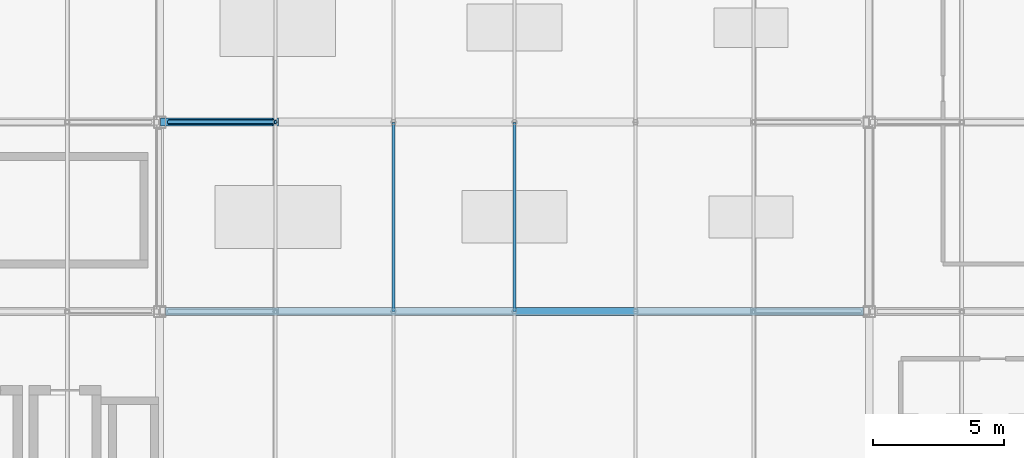
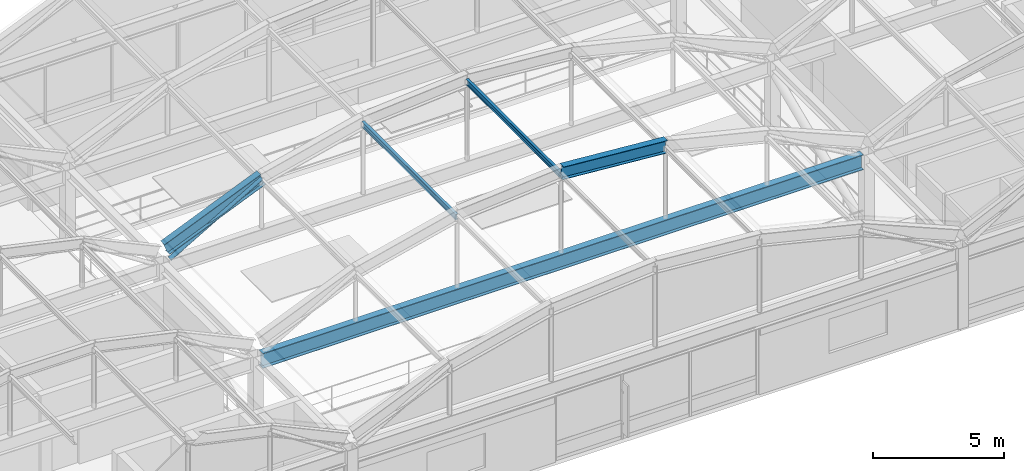
# One storey, part 37 of 106: 5 members, 1 beam.
"""IFC4 building model written with IfcOpenShell, lengths in metres."""

from ifc_helpers import new_model, si_unit, direction, frame, origin, origin_2d, place, context, subcontext, project, spatial, hollow_circle, i_section, extrude, material, material_profile, profile_set, type_object, element, save


model = new_model("IFC4")

# Units and contexts
model_context = context("Model", 3, precision=1e-05, world=origin(), true_north=direction((0.0, 1.0)))
body_context = subcontext(model_context, "Body", "Model", "MODEL_VIEW")
ifc_project = project(units=[si_unit("LENGTHUNIT", "METRE"), si_unit("AREAUNIT", "SQUARE_METRE"), si_unit("VOLUMEUNIT", "CUBIC_METRE"), si_unit("PLANEANGLEUNIT", "RADIAN"), si_unit("MASSUNIT", "GRAM", prefix="KILO")], contexts=[model_context])

# Site, building, storey
site_placement = place(None, origin())
site = spatial("IfcSite", under=ifc_project, at=site_placement, CompositionType="ELEMENT")
building_placement = place(site_placement, origin())
building = spatial("IfcBuilding", under=site, at=building_placement, Name="Kazanami Central Library", CompositionType="ELEMENT")
storey_placement = place(building_placement, frame((0.0, 0.0, 12.800048828125)))
storey = spatial("IfcBuildingStorey", under=building, at=storey_placement, Name="L04", CompositionType="ELEMENT", Elevation=12.800048828125)

# Beam
ifc_material_1 = material(Name="Steel SN490B (325 MPa)", Category="steel")
ifc_material_profile_1 = material_profile(ifc_material_1, i_section(OverallWidth=0.300048828125, OverallDepth=0.699951171875, WebThickness=0.012939453125, FlangeThickness=0.02392578125, at=origin_2d()), Name="H-700x300x13x24")
ifc_profile_set_1 = profile_set([ifc_material_profile_1], Name="Steel SN490B (325 MPa)")
beam_type = type_object("IfcBeamType", Name="BM-G-AT", PredefinedType="BEAM", material=ifc_profile_set_1)
beam_placement = place(storey_placement, frame((63.222900390625, 72.0, 3.429931640625), z_axis=(1.0, 0.0, 0.0), x_axis=(0.0, 1.0, 0.0)))
element("IfcBeam", 1, at=beam_placement, inside=storey, type_object=beam_type, Name="Barrel Vault Springing Tie Girder G-AT L04 C Grid L", PredefinedType="BEAM", context=body_context, shape_type="SweptSolid", body=[
    extrude(i_section(OverallWidth=0.300048828125, OverallDepth=0.699951171875, WebThickness=0.012939453125, FlangeThickness=0.02392578125, at=origin_2d()), origin(), (0.0, 0.0, 1.0), 26.55419921875),
])

# Members
ifc_material_profile_2 = material_profile(ifc_material_1, i_section(OverallWidth=0.300048828125, OverallDepth=0.587890625, WebThickness=0.011962890625, FlangeThickness=0.02001953125, at=origin_2d()), Name="H-588x300x12x20")
ifc_profile_set_2 = profile_set([ifc_material_profile_2], Name="Steel SN490B (325 MPa)")
member_type_1 = type_object("IfcMemberType", Name="MEM-AR-01", PredefinedType="CHORD", material=ifc_profile_set_2)
for number, where, z_axis, x_axis, name in (
    (2, (76.5, 72.0, 7.549072265625), (0.99683088961, 0.0, -0.079549842985), (0.0, 1.0, 0.0), "Barrel Vault Arch Rib AR-01 VAULT-MAIN Grid L Seg 4"),
    (3, (63.14990234375, 79.199951171875, 4.299072265625), (0.921854112797, 0.0, 0.387537088185), (0.0, 1.0, 0.0), "Barrel Vault Arch Rib AR-01 VAULT-MAIN Grid M Seg 1"),
):
    element("IfcMember", number, at=place(storey_placement, frame(where, z_axis=z_axis, x_axis=x_axis)), inside=storey, type_object=member_type_1, Name=name, PredefinedType="CHORD", context=body_context, shape_type="SweptSolid", body=[
        extrude(i_section(OverallWidth=0.300048828125, OverallDepth=0.587890625, WebThickness=0.011962890625, FlangeThickness=0.02001953125, at=origin_2d()), origin(), (0.0, 0.0, 1.0), 4.618896484375),
    ])
ifc_material_2 = material(Name="Steel SN400B (235 MPa)", Category="steel")
ifc_material_profile_3 = material_profile(ifc_material_2, i_section(OverallWidth=0.125, OverallDepth=0.25, WebThickness=0.006103515625, FlangeThickness=0.009033203125, at=origin_2d()), Name="H-250x125x6x9")
ifc_profile_set_3 = profile_set([ifc_material_profile_3], Name="Steel SN400B (235 MPa)")
member_type_2 = type_object("IfcMemberType", Name="MEM-PUR-250", PredefinedType="PURLIN", material=ifc_profile_set_3)
for number, where, z_axis, x_axis, name in (
    (4, (71.895751953125, 72.0048828125, 7.041748046875), (0.0, 1.0, 0.0), (-1.0, 0.0, 0.0), "Barrel Vault Longitudinal Purlin VAULT-MAIN Knuckle 2.2"),
    (5, (76.5, 72.0048828125, 7.408935546875), (0.0, 1.0, 0.0), (-1.0, 0.0, 0.0), "Barrel Vault Longitudinal Purlin VAULT-MAIN Knuckle 3.2"),
):
    element("IfcMember", number, at=place(storey_placement, frame(where, z_axis=z_axis, x_axis=x_axis)), inside=storey, type_object=member_type_2, Name=name, PredefinedType="PURLIN", context=body_context, shape_type="SweptSolid", body=[
        extrude(i_section(OverallWidth=0.125, OverallDepth=0.25, WebThickness=0.006103515625, FlangeThickness=0.009033203125, at=origin_2d()), origin(), (0.0, 0.0, 1.0), 7.190185546875),
    ])
ifc_material_3 = material(Name="Steel STK490 (315 MPa)", Category="steel")
ifc_material_profile_4 = material_profile(ifc_material_3, hollow_circle(Radius=0.095458984375, WallThickness=0.007080078125, at=origin_2d()), Name="CHS-190.7x7.0")
ifc_profile_set_4 = profile_set([ifc_material_profile_4], Name="Steel STK490 (315 MPa)")
member_type_3 = type_object("IfcMemberType", Name="MEM-VST-190", PredefinedType="STRUT", material=ifc_profile_set_4)
member_placement = place(storey_placement, frame((63.35009765625, 79.199951171875, 3.71484375), z_axis=(0.864967490529, 0.0, 0.501827899114), x_axis=(0.0, 1.0, 0.0)))
element("IfcMember", 6, at=member_placement, inside=storey, type_object=member_type_3, Name="Barrel Vault Tied-Arch Diagonal VAULT-MAIN Grid M (L)", PredefinedType="BRACE", context=body_context, shape_type="SweptSolid", body=[
    extrude(hollow_circle(Radius=0.095458984375, WallThickness=0.007080078125, at=origin_2d()), origin(), (0.0, 0.0, 1.0), 4.69140625),
])

save(model, "model.ifc")
